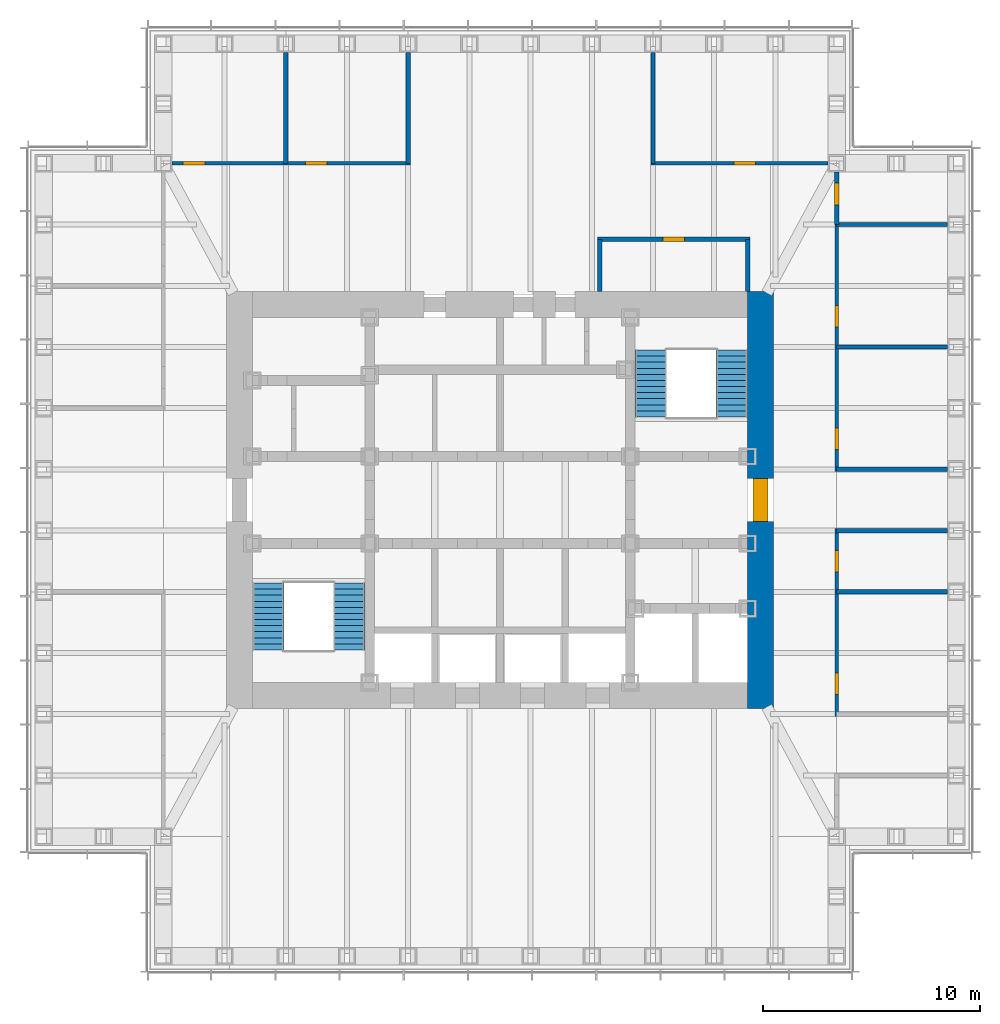
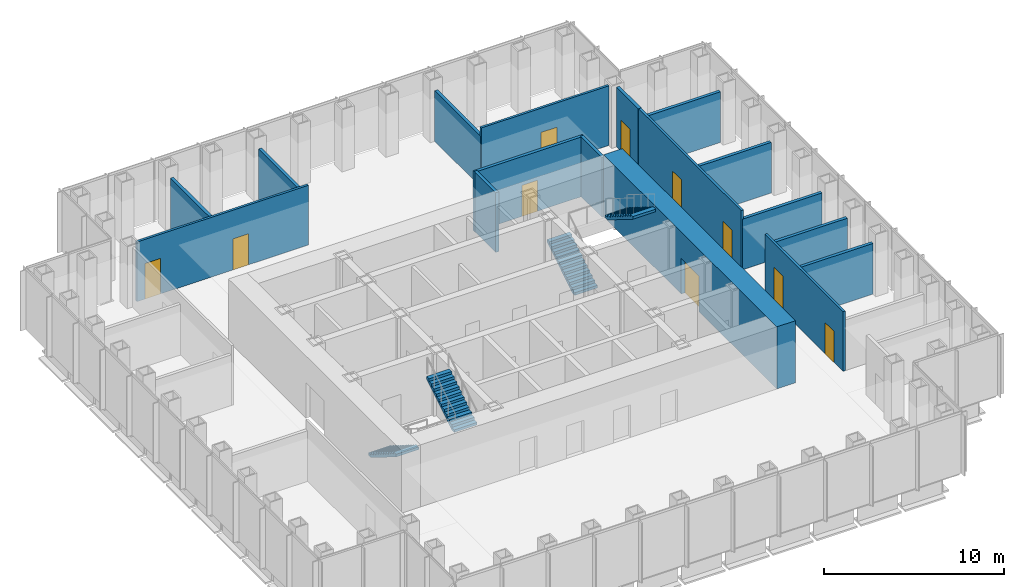
# One storey, part 10 of 16: 17 walls, 10 doors, 4 stair flights, 10 openings, 2 elements without a shape of their own.
"""IFC4 building model written with IfcOpenShell, lengths in metres."""

import ifcopenshell
import ifcopenshell.guid

model = None  # the IFC model being written
_history = None  # IfcOwnerHistory: only IFC2X3 demands one
_inside = {}  # id of a spatial element -> (the spatial element, [elements in it])
_under = {}  # id of a project, library or spatial element -> (it, [spatial elements below it])
_declared = {}  # id of a project -> (the project, [libraries it declares])
_typed = {}  # id of a type object -> (the type object, [elements of that type])
_made_of = {}  # id of a material, layer set ... -> (it, [elements and type objects made of it])


def new_model(schema):
    """Start an empty IFC model of exactly this schema.

    Asked for "IFC4X3", IfcOpenShell would pick the latest addendum, in which some entities
    have other attributes; the version numbers below select the first issue.
    IFC2X3 requires an IfcOwnerHistory on every rooted entity: one is made here for all.
    """
    global model, _history
    if schema == "IFC4X3":
        model = ifcopenshell.file(schema_version=(4, 3, 0, 0))
    else:
        model = ifcopenshell.file(schema=schema)
    _inside.clear()
    _under.clear()
    _declared.clear()
    _typed.clear()
    _made_of.clear()
    _history = None
    if model.schema == "IFC2X3":
        org = make("IfcOrganization", Name="unknown")
        user = make(
            "IfcPersonAndOrganization",
            ThePerson=make("IfcPerson", FamilyName="unknown"),
            TheOrganization=org,
        )
        app = make(
            "IfcApplication",
            ApplicationDeveloper=org,
            Version="unknown",
            ApplicationFullName="unknown",
            ApplicationIdentifier="unknown",
        )
        _history = make(
            "IfcOwnerHistory",
            OwningUser=user,
            OwningApplication=app,
            ChangeAction="ADDED",
            CreationDate=0,
        )
    return model


def make(cls, **values):
    """One entity of the class cls with the attributes given. An attribute that is None is left unset."""
    return model.create_entity(
        cls, **{name: value for name, value in values.items() if value is not None}
    )


def rooted(cls, **values):
    """An entity with a GlobalId (a new one), such as an element, a storey or a relation."""
    return make(cls, GlobalId=ifcopenshell.guid.new(), OwnerHistory=_history, **values)


def si_unit(unit_type, name, prefix=None):
    """IfcSIUnit, for example si_unit("LENGTHUNIT", "METRE", prefix="MILLI")."""
    return make("IfcSIUnit", UnitType=unit_type, Prefix=prefix, Name=name)


def assignment(units):
    """IfcUnitAssignment: the units of a project."""
    return None if units is None else make("IfcUnitAssignment", Units=units)


def point(xyz):
    """IfcCartesianPoint."""
    return None if xyz is None else make("IfcCartesianPoint", Coordinates=xyz)


def direction(xyz):
    """IfcDirection."""
    return None if xyz is None else make("IfcDirection", DirectionRatios=xyz)


def frame(location, z_axis=None, x_axis=None):
    """IfcAxis2Placement3D, a coordinate frame: its origin and axes. An axis left out is left unset."""
    return make(
        "IfcAxis2Placement3D",
        Location=point(location),
        Axis=direction(z_axis),
        RefDirection=direction(x_axis),
    )


def frame_2d(location, x_axis=None):
    """IfcAxis2Placement2D, a coordinate frame in the plane: its origin and x axis."""
    return make(
        "IfcAxis2Placement2D", Location=point(location), RefDirection=direction(x_axis)
    )


def origin():
    """The frame at (0, 0, 0) with its axes left unset."""
    return frame((0.0, 0.0, 0.0))


def place(relative_to, where):
    """IfcLocalPlacement: puts the frame where relative to a parent placement (None: the world)."""
    return make(
        "IfcLocalPlacement", PlacementRelTo=relative_to, RelativePlacement=where
    )


def context(
    kind, dimensions, precision=None, world=None, true_north=None, identifier=None
):
    """IfcGeometricRepresentationContext, for example the 3D "Model" context."""
    return make(
        "IfcGeometricRepresentationContext",
        ContextIdentifier=identifier,
        ContextType=kind,
        CoordinateSpaceDimension=dimensions,
        Precision=precision,
        WorldCoordinateSystem=world,
        TrueNorth=true_north,
    )


def subcontext(parent, identifier, kind, view, scale=None):
    """IfcGeometricRepresentationSubContext, for example "Body" below "Model"."""
    return make(
        "IfcGeometricRepresentationSubContext",
        ContextIdentifier=identifier,
        ContextType=kind,
        ParentContext=parent,
        TargetScale=scale,
        TargetView=view,
    )


def project(units=None, contexts=None):
    """IfcProject with its units and contexts."""
    return rooted(
        "IfcProject",
        Name="project",
        RepresentationContexts=contexts,
        UnitsInContext=assignment(units),
    )


def spatial(cls, under=None, at=None, **own):
    """A site, building, storey or space (cls), placed at a placement, below another one or the project."""
    s = rooted(cls, ObjectPlacement=at, **own)
    if under is not None:
        _under.setdefault(under.id(), (under, []))[1].append(s)
    return s


def polyline(points):
    """IfcPolyline through the points."""
    return make("IfcPolyline", Points=[point(p) for p in points])


def profile(cls, at=None, kind="AREA", **sizes):
    """A parametric profile (cls). Its sizes go by their IFC names, for example OverallWidth=200.0."""
    return make(cls, ProfileType=kind, Position=at, **sizes)


def rectangle(**sizes):
    """IfcRectangleProfileDef."""
    return profile("IfcRectangleProfileDef", **sizes)


def outline(outer, holes=None, kind="AREA"):
    """IfcArbitraryClosedProfileDef: a profile drawn as a closed curve; with holes, ...WithVoids."""
    if holes is None:
        return make("IfcArbitraryClosedProfileDef", ProfileType=kind, OuterCurve=outer)
    return make(
        "IfcArbitraryProfileDefWithVoids",
        ProfileType=kind,
        OuterCurve=outer,
        InnerCurves=holes,
    )


def extrude(swept, where, along, depth):
    """IfcExtrudedAreaSolid: the profile swept, set in the frame where, extruded along a direction by depth."""
    return make(
        "IfcExtrudedAreaSolid",
        SweptArea=swept,
        Position=where,
        ExtrudedDirection=direction(along),
        Depth=depth,
    )


def shape(context_of_items, identifier, shape_type, items):
    """IfcShapeRepresentation: the items that make up one representation, for example the "Body"."""
    return make(
        "IfcShapeRepresentation",
        ContextOfItems=context_of_items,
        RepresentationIdentifier=identifier,
        RepresentationType=shape_type,
        Items=items,
    )


def material(Name=None, Category=None):
    """IfcMaterial."""
    return make("IfcMaterial", Name=Name, Category=Category)


def layer(
    of_material, thickness, ventilated=None, Name=None, Category=None, Priority=None
):
    """IfcMaterialLayer: one layer of a wall or slab, of a material (None: an air gap)."""
    return make(
        "IfcMaterialLayer",
        Material=of_material,
        LayerThickness=thickness,
        IsVentilated=ventilated,
        Name=Name,
        Category=Category,
        Priority=Priority,
    )


def layer_set(layers, Name=None):
    """IfcMaterialLayerSet."""
    return make("IfcMaterialLayerSet", MaterialLayers=layers, LayerSetName=Name)


def made_of(thing, what):
    """Note that an element or type object is made of a material, layer set ...; save() writes the relation."""
    if what is not None:
        _made_of.setdefault(what.id(), (what, []))[1].append(thing)
    return thing


def type_object(cls, material=None, **own):
    """A type object (cls), such as IfcWallType, which elements share."""
    return made_of(rooted(cls, **own), material)


def element(
    cls,
    number,
    at=None,
    inside=None,
    cuts=None,
    type_object=None,
    material=None,
    context=None,
    identifier="Body",
    shape_type=None,
    held_by="IfcProductDefinitionShape",
    body=None,
    shapes=None,
    **own,
):
    """One element of the class cls, such as IfcWall. Its Tag is "e" and its number.

    at: its placement. inside: the storey or other place that contains it. cuts: it is an
    opening in that element (IfcRelVoidsElement). A single representation is given by context,
    identifier, shape_type and body (its items); several are given by shapes. held_by: the class
    of the entity that holds the representations. save() writes the other relations.
    """
    e = rooted(cls, Tag="e%d" % number, ObjectPlacement=at, **own)
    if body is not None:
        shapes = [shape(context, identifier, shape_type, body)]
    if shapes is not None:
        e.Representation = make(held_by, Representations=shapes)
    if inside is not None:
        _inside.setdefault(inside.id(), (inside, []))[1].append(e)
    if cuts is not None:
        rooted(
            "IfcRelVoidsElement", RelatingBuildingElement=cuts, RelatedOpeningElement=e
        )
    if type_object is not None:
        _typed.setdefault(type_object.id(), (type_object, []))[1].append(e)
    return made_of(e, material)


def fill(opening, filler):
    """IfcRelFillsElement: the door or window that sits in an opening."""
    return rooted(
        "IfcRelFillsElement",
        RelatingOpeningElement=opening,
        RelatedBuildingElement=filler,
    )


def aggregate(whole, parts):
    """IfcRelAggregates: a whole, such as a stair, and the parts it consists of."""
    return rooted("IfcRelAggregates", RelatingObject=whole, RelatedObjects=parts)


def save(model, path):
    """Write the relations noted so far, then the file.

    IfcRelAggregates (storeys below a building ...), IfcRelContainedInSpatialStructure (elements
    in a storey), IfcRelDefinesByType, IfcRelAssociatesMaterial and IfcRelDeclares: one each for
    every whole, place, type object, material and project.
    """
    for whole, parts in _under.values():
        aggregate(whole, parts)
    for where, things in _inside.values():
        rooted(
            "IfcRelContainedInSpatialStructure",
            RelatedElements=things,
            RelatingStructure=where,
        )
    for kind, things in _typed.values():
        rooted("IfcRelDefinesByType", RelatedObjects=things, RelatingType=kind)
    for what, things in _made_of.values():
        rooted("IfcRelAssociatesMaterial", RelatedObjects=things, RelatingMaterial=what)
    for by, libraries in _declared.values():
        rooted("IfcRelDeclares", RelatingContext=by, RelatedDefinitions=libraries)
    model.write(path)


model = new_model("IFC4")

# Units and contexts
model_context = context("Model", 3, precision=1e-05, world=origin(), true_north=direction((0.0, 1.0)))
body_context = subcontext(model_context, "Body", "Model", "MODEL_VIEW")
ifc_project = project(units=[si_unit("LENGTHUNIT", "METRE"), si_unit("AREAUNIT", "SQUARE_METRE"), si_unit("VOLUMEUNIT", "CUBIC_METRE"), si_unit("PLANEANGLEUNIT", "RADIAN"), si_unit("MASSUNIT", "GRAM", prefix="KILO")], contexts=[model_context])

# Site, building, storey
site_placement = place(None, origin())
site = spatial("IfcSite", under=ifc_project, at=site_placement, CompositionType="ELEMENT")
building_placement = place(site_placement, origin())
building = spatial("IfcBuilding", under=site, at=building_placement, Name="Daluyong Arena Tower", CompositionType="ELEMENT")
storey_placement = place(building_placement, frame((0.0, 0.0, 214.89990234375)))
storey = spatial("IfcBuildingStorey", under=building, at=storey_placement, Name="L48", CompositionType="ELEMENT", Elevation=214.89990234375)

# Wall, opening, door
ifc_material_1 = material(Name="Concrete fc' 60 MPa", Category="concrete")
ifc_layer_1 = layer(ifc_material_1, 1.199951171875)
ifc_layer_set_1 = layer_set([ifc_layer_1], Name="Concrete fc' 60 MPa")
wall_type_1 = type_object("IfcWallType", Name="Core wall 1200", PredefinedType="SHEAR", material=ifc_layer_set_1)
wall_1_placement = place(storey_placement, frame((68.0, 70.39990234375, 0.0), z_axis=(0.0, 0.0, 1.0), x_axis=(0.0, 1.0, 0.0)))
wall_1 = element("IfcWall", 1, at=wall_1_placement, inside=storey, type_object=wall_type_1, Name="core wall at L48", PredefinedType="SHEAR", context=body_context, shape_type="SweptSolid", body=[
    extrude(rectangle(XDim=19.2001953125, YDim=1.199951171875, at=frame_2d((9.60009765625, 0.0))), origin(), (0.0, 0.0, 1.0), 4.2001953125),
])
opening_1_placement = place(wall_1_placement, frame((8.60009765625, 0.0, 0.0)))
opening_1 = element("IfcOpeningElement", 2, at=opening_1_placement, cuts=wall_1, Name="Opening 48019", PredefinedType="OPENING", context=body_context, shape_type="SweptSolid", body=[
    extrude(rectangle(XDim=2.0, YDim=2.39990234375, at=frame_2d((1.0, 1.199951171875))), frame((0.0, 0.60986328125, 0.0), z_axis=(0.0, -1.0, 0.0), x_axis=(1.0, 0.0, 0.0)), (0.0, 0.0, 1.0), 1.219970703125),
])
ifc_material_2 = material(Name="Steel door, fire rated", Category="steel")
door_type_1 = type_object("IfcDoorType", Name="Core lobby double door 2000", OperationType="DOUBLE_DOOR_SINGLE_SWING", PredefinedType="DOOR", material=ifc_material_2)
door_1_placement = place(opening_1_placement, origin())
door_1 = element("IfcDoor", 3, at=door_1_placement, inside=storey, type_object=door_type_1, Name="core lobby door east 48019", OperationType="DOUBLE_DOOR_SINGLE_SWING", OverallHeight=2.39990234375, OverallWidth=2.0, PredefinedType="DOOR", context=body_context, shape_type="SweptSolid", body=[
    extrude(rectangle(XDim=2.0, YDim=2.39990234375, at=frame_2d((1.0, 1.199951171875))), frame((0.0, 0.35009765625, 0.0), z_axis=(0.0, -1.0, 0.0), x_axis=(1.0, 0.0, 0.0)), (0.0, 0.0, 1.0), 0.699951171875),
])
fill(opening_1, door_1)

# Wall, openings, doors
ifc_material_3 = material(Name="Glazed aluminium partition", Category="aluminium")
ifc_layer_2 = layer(ifc_material_3, 0.14990234375)
ifc_layer_set_2 = layer_set([ifc_layer_2], Name="Glazed aluminium partition")
wall_type_2 = type_object("IfcWallType", Name="Glazed partition 150", PredefinedType="PARTITIONING", material=ifc_layer_set_2)
wall_2_placement = place(storey_placement, frame((40.89990234375, 95.5, 0.0), z_axis=(0.0, 0.0, 1.0), x_axis=(1.0, 0.0, 0.0)))
wall_2 = element("IfcWall", 4, at=wall_2_placement, inside=storey, type_object=wall_type_2, Name="glazed partition at L48", PredefinedType="PARTITIONING", context=body_context, shape_type="SweptSolid", body=[
    extrude(rectangle(XDim=10.972900390625, YDim=0.14990234375, at=frame_2d((5.486328125, 0.0))), origin(), (0.0, 0.0, 1.0), 4.0400390625),
])
opening_2_placement = place(wall_2_placement, frame((0.509033203125, 0.0, 0.0)))
opening_2 = element("IfcOpeningElement", 5, at=opening_2_placement, cuts=wall_2, Name="Opening 48035", PredefinedType="OPENING", context=body_context, shape_type="SweptSolid", body=[
    extrude(rectangle(XDim=1.0, YDim=2.39990234375, at=frame_2d((0.5, 1.199951171875))), frame((0.0, 0.0849609375, 0.0), z_axis=(0.0, -1.0, 0.0), x_axis=(1.0, 0.0, 0.0)), (0.0, 0.0, 1.0), 0.169921875),
])
opening_3_placement = place(wall_2_placement, frame((6.1455078125, 0.0, 0.0)))
opening_3 = element("IfcOpeningElement", 6, at=opening_3_placement, cuts=wall_2, Name="Opening 48036", PredefinedType="OPENING", context=body_context, shape_type="SweptSolid", body=[
    extrude(rectangle(XDim=1.0, YDim=2.10009765625, at=frame_2d((0.5, 1.050048828125))), frame((0.0, 0.0849609375, 0.0), z_axis=(0.0, -1.0, 0.0), x_axis=(1.0, 0.0, 0.0)), (0.0, 0.0, 1.0), 0.169921875),
])
ifc_material_4 = material(Name="Glazed aluminium door", Category="aluminium")
door_type_2 = type_object("IfcDoorType", Name="Meeting room glazed door 1000", OperationType="SINGLE_SWING_RIGHT", PredefinedType="DOOR", material=ifc_material_4)
door_2_placement = place(opening_2_placement, origin())
door_2 = element("IfcDoor", 7, at=door_2_placement, inside=storey, type_object=door_type_2, Name="meeting room door 48035", OperationType="SINGLE_SWING_RIGHT", OverallHeight=2.39990234375, OverallWidth=1.0, PredefinedType="DOOR", context=body_context, shape_type="SweptSolid", body=[
    extrude(rectangle(XDim=1.0, YDim=2.39990234375, at=frame_2d((0.5, 1.199951171875))), frame((0.0, 0.07470703125, 0.0), z_axis=(0.0, -1.0, 0.0), x_axis=(1.0, 0.0, 0.0)), (0.0, 0.0, 1.0), 0.1494140625),
])
fill(opening_2, door_2)
ifc_material_5 = material(Name="Timber door", Category="wood")
door_type_3 = type_object("IfcDoorType", Name="Room door 1000", OperationType="SINGLE_SWING_LEFT", PredefinedType="DOOR", material=ifc_material_5)
door_3_placement = place(opening_3_placement, origin())
door_3 = element("IfcDoor", 8, at=door_3_placement, inside=storey, type_object=door_type_3, Name="executive office door 48036", OperationType="SINGLE_SWING_LEFT", OverallHeight=2.10009765625, OverallWidth=1.0, PredefinedType="DOOR", context=body_context, shape_type="SweptSolid", body=[
    extrude(rectangle(XDim=1.0, YDim=2.10009765625, at=frame_2d((0.5, 1.050048828125))), frame((0.0, 0.07470703125, 0.0), z_axis=(0.0, -1.0, 0.0), x_axis=(1.0, 0.0, 0.0)), (0.0, 0.0, 1.0), 0.1494140625),
])
fill(opening_3, door_3)

# Wall, opening, door
wall_3_placement = place(storey_placement, frame((62.945556640625, 95.5, 0.0), z_axis=(0.0, 0.0, 1.0), x_axis=(1.0, 0.0, 0.0)))
wall_3 = element("IfcWall", 9, at=wall_3_placement, inside=storey, type_object=wall_type_2, Name="glazed partition at L48", PredefinedType="PARTITIONING", context=body_context, shape_type="SweptSolid", body=[
    extrude(rectangle(XDim=8.154541015625, YDim=0.14990234375, at=frame_2d((4.0771484375, 0.0))), origin(), (0.0, 0.0, 1.0), 4.0400390625),
])
opening_4_placement = place(wall_3_placement, frame((3.827392578125, 0.0, 0.0)))
opening_4 = element("IfcOpeningElement", 10, at=opening_4_placement, cuts=wall_3, Name="Opening 48037", PredefinedType="OPENING", context=body_context, shape_type="SweptSolid", body=[
    extrude(rectangle(XDim=1.0, YDim=2.39990234375, at=frame_2d((0.5, 1.199951171875))), frame((0.0, 0.0849609375, 0.0), z_axis=(0.0, -1.0, 0.0), x_axis=(1.0, 0.0, 0.0)), (0.0, 0.0, 1.0), 0.169921875),
])
door_4_placement = place(opening_4_placement, origin())
door_4 = element("IfcDoor", 11, at=door_4_placement, inside=storey, type_object=door_type_2, Name="meeting room door 48037", OperationType="SINGLE_SWING_RIGHT", OverallHeight=2.39990234375, OverallWidth=1.0, PredefinedType="DOOR", context=body_context, shape_type="SweptSolid", body=[
    extrude(rectangle(XDim=1.0, YDim=2.39990234375, at=frame_2d((0.5, 1.199951171875))), frame((0.0, 0.07470703125, 0.0), z_axis=(0.0, -1.0, 0.0), x_axis=(1.0, 0.0, 0.0)), (0.0, 0.0, 1.0), 0.1494140625),
])
fill(opening_4, door_4)

# Wall, openings, doors
wall_4_placement = place(storey_placement, frame((71.5, 70.036376953125, 0.0), z_axis=(0.0, 0.0, 1.0), x_axis=(0.0, 1.0, 0.0)))
wall_4 = element("IfcWall", 12, at=wall_4_placement, inside=storey, type_object=wall_type_2, Name="glazed partition at L48", PredefinedType="PARTITIONING", context=body_context, shape_type="SweptSolid", body=[
    extrude(rectangle(XDim=8.654541015625, YDim=0.14990234375, at=frame_2d((4.3271484375, 0.0))), origin(), (0.0, 0.0, 1.0), 4.0400390625),
])
opening_5_placement = place(wall_4_placement, frame((1.009033203125, 0.0, 0.0)))
opening_5 = element("IfcOpeningElement", 13, at=opening_5_placement, cuts=wall_4, Name="Opening 48030", PredefinedType="OPENING", context=body_context, shape_type="SweptSolid", body=[
    extrude(rectangle(XDim=1.0, YDim=2.10009765625, at=frame_2d((0.5, 1.050048828125))), frame((0.0, 0.0849609375, 0.0), z_axis=(0.0, -1.0, 0.0), x_axis=(1.0, 0.0, 0.0)), (0.0, 0.0, 1.0), 0.169921875),
])
opening_6_placement = place(wall_4_placement, frame((6.6455078125, 0.0, 0.0)))
opening_6 = element("IfcOpeningElement", 14, at=opening_6_placement, cuts=wall_4, Name="Opening 48031", PredefinedType="OPENING", context=body_context, shape_type="SweptSolid", body=[
    extrude(rectangle(XDim=1.0, YDim=2.39990234375, at=frame_2d((0.5, 1.199951171875))), frame((0.0, 0.0849609375, 0.0), z_axis=(0.0, -1.0, 0.0), x_axis=(1.0, 0.0, 0.0)), (0.0, 0.0, 1.0), 0.169921875),
])
door_5_placement = place(opening_6_placement, origin())
door_5 = element("IfcDoor", 15, at=door_5_placement, inside=storey, type_object=door_type_2, Name="focus room door 48031", OperationType="SINGLE_SWING_RIGHT", OverallHeight=2.39990234375, OverallWidth=1.0, PredefinedType="DOOR", context=body_context, shape_type="SweptSolid", body=[
    extrude(rectangle(XDim=1.0, YDim=2.39990234375, at=frame_2d((0.5, 1.199951171875))), frame((0.0, 0.07470703125, 0.0), z_axis=(0.0, -1.0, 0.0), x_axis=(1.0, 0.0, 0.0)), (0.0, 0.0, 1.0), 0.1494140625),
])
fill(opening_6, door_5)
door_6_placement = place(opening_5_placement, origin())
door_6 = element("IfcDoor", 16, at=door_6_placement, inside=storey, type_object=door_type_3, Name="office door 48030", OperationType="SINGLE_SWING_LEFT", OverallHeight=2.10009765625, OverallWidth=1.0, PredefinedType="DOOR", context=body_context, shape_type="SweptSolid", body=[
    extrude(rectangle(XDim=1.0, YDim=2.10009765625, at=frame_2d((0.5, 1.050048828125))), frame((0.0, 0.07470703125, 0.0), z_axis=(0.0, -1.0, 0.0), x_axis=(1.0, 0.0, 0.0)), (0.0, 0.0, 1.0), 0.1494140625),
])
fill(opening_5, door_6)

wall_5_placement = place(storey_placement, frame((71.5, 81.30908203125, 0.0), z_axis=(0.0, 0.0, 1.0), x_axis=(0.0, 1.0, 0.0)))
wall_5 = element("IfcWall", 17, at=wall_5_placement, inside=storey, type_object=wall_type_2, Name="glazed partition at L48", PredefinedType="PARTITIONING", context=body_context, shape_type="SweptSolid", body=[
    extrude(rectangle(XDim=11.372802734375, YDim=0.14990234375, at=frame_2d((5.6865234375, 0.0))), origin(), (0.0, 0.0, 1.0), 4.0400390625),
])
opening_7_placement = place(wall_5_placement, frame((1.009033203125, 0.0, 0.0)))
opening_7 = element("IfcOpeningElement", 18, at=opening_7_placement, cuts=wall_5, Name="Opening 48032", PredefinedType="OPENING", context=body_context, shape_type="SweptSolid", body=[
    extrude(rectangle(XDim=1.0, YDim=2.10009765625, at=frame_2d((0.5, 1.050048828125))), frame((0.0, 0.0849609375, 0.0), z_axis=(0.0, -1.0, 0.0), x_axis=(1.0, 0.0, 0.0)), (0.0, 0.0, 1.0), 0.169921875),
])
opening_8_placement = place(wall_5_placement, frame((6.6455078125, 0.0, 0.0)))
opening_8 = element("IfcOpeningElement", 19, at=opening_8_placement, cuts=wall_5, Name="Opening 48033", PredefinedType="OPENING", context=body_context, shape_type="SweptSolid", body=[
    extrude(rectangle(XDim=1.0, YDim=2.10009765625, at=frame_2d((0.5, 1.050048828125))), frame((0.0, 0.0849609375, 0.0), z_axis=(0.0, -1.0, 0.0), x_axis=(1.0, 0.0, 0.0)), (0.0, 0.0, 1.0), 0.169921875),
])
door_7_placement = place(opening_7_placement, origin())
door_7 = element("IfcDoor", 20, at=door_7_placement, inside=storey, type_object=door_type_3, Name="office door 48032", OperationType="SINGLE_SWING_LEFT", OverallHeight=2.10009765625, OverallWidth=1.0, PredefinedType="DOOR", context=body_context, shape_type="SweptSolid", body=[
    extrude(rectangle(XDim=1.0, YDim=2.10009765625, at=frame_2d((0.5, 1.050048828125))), frame((0.0, 0.07470703125, 0.0), z_axis=(0.0, -1.0, 0.0), x_axis=(1.0, 0.0, 0.0)), (0.0, 0.0, 1.0), 0.1494140625),
])
fill(opening_7, door_7)
door_8_placement = place(opening_8_placement, origin())
door_8 = element("IfcDoor", 21, at=door_8_placement, inside=storey, type_object=door_type_3, Name="office door 48033", OperationType="SINGLE_SWING_LEFT", OverallHeight=2.10009765625, OverallWidth=1.0, PredefinedType="DOOR", context=body_context, shape_type="SweptSolid", body=[
    extrude(rectangle(XDim=1.0, YDim=2.10009765625, at=frame_2d((0.5, 1.050048828125))), frame((0.0, 0.07470703125, 0.0), z_axis=(0.0, -1.0, 0.0), x_axis=(1.0, 0.0, 0.0)), (0.0, 0.0, 1.0), 0.1494140625),
])
fill(opening_8, door_8)

# Walls
ifc_material_6 = material(Name="Concrete block partition", Category="concrete")
ifc_layer_3 = layer(ifc_material_6, 0.199951171875)
ifc_layer_set_3 = layer_set([ifc_layer_3], Name="Concrete block partition")
wall_type_3 = type_object("IfcWallType", Name="Partition 200", PredefinedType="PARTITIONING", material=ifc_layer_set_3)
for number, where, z_axis, x_axis, name in (
    (22, (71.5, 75.772705078125, 0.0), (0.0, 0.0, 1.0), (1.0, 0.0, 0.0), "partition at L48"),
    (23, (71.5, 78.5908203125, 0.0), (0.0, 0.0, 1.0), (1.0, 0.0, 0.0), "partition at L48"),
    (24, (71.5, 81.4091796875, 0.0), (0.0, 0.0, 1.0), (1.0, 0.0, 0.0), "partition at L48"),
    (25, (71.5, 87.04541015625, 0.0), (0.0, 0.0, 1.0), (1.0, 0.0, 0.0), "partition at L48"),
    (26, (71.5, 92.681884765625, 0.0), (0.0, 0.0, 1.0), (1.0, 0.0, 0.0), "partition at L48"),
    (27, (46.136474609375, 95.5, 0.0), (0.0, 0.0, 1.0), (0.0, 1.0, 0.0), "partition at L48"),
    (28, (51.772705078125, 95.5, 0.0), (0.0, 0.0, 1.0), (0.0, 1.0, 0.0), "partition at L48"),
    (29, (63.04541015625, 95.5, 0.0), (0.0, 0.0, 1.0), (0.0, 1.0, 0.0), "partition at L48"),
):
    element("IfcWall", number, at=place(storey_placement, frame(where, z_axis=z_axis, x_axis=x_axis)), inside=storey, type_object=wall_type_3, Name=name, PredefinedType="PARTITIONING", context=body_context, shape_type="SweptSolid", body=[
        extrude(rectangle(XDim=5.10009765625, YDim=0.199951171875, at=frame_2d((2.550048828125, 0.0))), origin(), (0.0, 0.0, 1.0), 3.427978515625),
    ])
for number, where, z_axis, x_axis, name in (
    (30, (60.60009765625, 89.60009765625, 0.0), (0.0, 0.0, 1.0), (0.0, 1.0, 0.0), "partition at L48"),
    (31, (67.39990234375, 89.60009765625, 0.0), (0.0, 0.0, 1.0), (0.0, 1.0, 0.0), "partition at L48"),
):
    element("IfcWall", number, at=place(storey_placement, frame(where, z_axis=z_axis, x_axis=x_axis)), inside=storey, type_object=wall_type_3, Name=name, PredefinedType="PARTITIONING", context=body_context, shape_type="SweptSolid", body=[
        extrude(rectangle(XDim=2.39990234375, YDim=0.199951171875, at=frame_2d((1.199951171875, 0.0))), origin(), (0.0, 0.0, 1.0), 4.0400390625),
    ])

# Wall, opening, door
wall_6_placement = place(storey_placement, frame((60.5, 92.0, 0.0), z_axis=(0.0, 0.0, 1.0), x_axis=(1.0, 0.0, 0.0)))
wall_6 = element("IfcWall", 32, at=wall_6_placement, inside=storey, type_object=wall_type_3, Name="partition at L48", PredefinedType="PARTITIONING", context=body_context, shape_type="SweptSolid", body=[
    extrude(rectangle(XDim=7.0, YDim=0.199951171875, at=frame_2d((3.5, 0.0))), origin(), (0.0, 0.0, 1.0), 4.0400390625),
])
opening_9_placement = place(wall_6_placement, frame((3.0, 0.0, 0.0)))
opening_9 = element("IfcOpeningElement", 33, at=opening_9_placement, cuts=wall_6, Name="Opening 48041", PredefinedType="OPENING", context=body_context, shape_type="SweptSolid", body=[
    extrude(rectangle(XDim=1.0, YDim=2.10009765625, at=frame_2d((0.5, 1.050048828125))), frame((0.0, 0.10986328125, 0.0), z_axis=(0.0, -1.0, 0.0), x_axis=(1.0, 0.0, 0.0)), (0.0, 0.0, 1.0), 0.219970703125),
])
door_9_placement = place(opening_9_placement, origin())
door_9 = element("IfcDoor", 34, at=door_9_placement, inside=storey, type_object=door_type_3, Name="project room door 48041", OperationType="SINGLE_SWING_LEFT", OverallHeight=2.10009765625, OverallWidth=1.0, PredefinedType="DOOR", context=body_context, shape_type="SweptSolid", body=[
    extrude(rectangle(XDim=1.0, YDim=2.10009765625, at=frame_2d((0.5, 1.050048828125))), frame((0.0, 0.099609375, 0.0), z_axis=(0.0, -1.0, 0.0), x_axis=(1.0, 0.0, 0.0)), (0.0, 0.0, 1.0), 0.199462890625),
])
fill(opening_9, door_9)

wall_7_placement = place(storey_placement, frame((71.5, 92.681884765625, 0.0), z_axis=(0.0, 0.0, 1.0), x_axis=(0.0, 1.0, 0.0)))
wall_7 = element("IfcWall", 35, at=wall_7_placement, inside=storey, type_object=wall_type_3, Name="partition at L48", PredefinedType="PARTITIONING", context=body_context, shape_type="SweptSolid", body=[
    extrude(rectangle(XDim=2.418212890625, YDim=0.199951171875, at=frame_2d((1.208984375, 0.0))), origin(), (0.0, 0.0, 1.0), 4.0400390625),
])
opening_10_placement = place(wall_7_placement, frame((0.9091796875, 0.0, 0.0)))
opening_10 = element("IfcOpeningElement", 36, at=opening_10_placement, cuts=wall_7, Name="Opening 48034", PredefinedType="OPENING", context=body_context, shape_type="SweptSolid", body=[
    extrude(rectangle(XDim=1.0, YDim=2.10009765625, at=frame_2d((0.5, 1.050048828125))), frame((0.0, 0.10986328125, 0.0), z_axis=(0.0, -1.0, 0.0), x_axis=(1.0, 0.0, 0.0)), (0.0, 0.0, 1.0), 0.219970703125),
])
door_10_placement = place(opening_10_placement, origin())
door_10 = element("IfcDoor", 37, at=door_10_placement, inside=storey, type_object=door_type_3, Name="wellness room door 48034", OperationType="SINGLE_SWING_LEFT", OverallHeight=2.10009765625, OverallWidth=1.0, PredefinedType="DOOR", context=body_context, shape_type="SweptSolid", body=[
    extrude(rectangle(XDim=1.0, YDim=2.10009765625, at=frame_2d((0.5, 1.050048828125))), frame((0.0, 0.099609375, 0.0), z_axis=(0.0, -1.0, 0.0), x_axis=(1.0, 0.0, 0.0)), (0.0, 0.0, 1.0), 0.199462890625),
])
fill(opening_10, door_10)

# Stair, stair flights
ifc_material_7 = material(Name="Concrete fc' 35 MPa", Category="concrete")
stair_type = type_object("IfcStairType", Name="Core exit stair", PredefinedType="HALF_TURN_STAIR", material=ifc_material_7)
stair_1_placement = place(storey_placement, origin())
stair_1 = element("IfcStair", 38, at=stair_1_placement, inside=storey, type_object=stair_type, Name="exit stair A L48", PredefinedType="HALF_TURN_STAIR")
ifc_material_8 = material(Name="Concrete fc' 35 MPa", Category="concrete")
stair_flight_type = type_object("IfcStairFlightType", Name="Core stair flight", PredefinedType="STRAIGHT", material=ifc_material_8)
stair_flight_1_placement = place(storey_placement, frame((45.324951171875, 76.175048828125, 0.0), z_axis=(0.0, 0.0, 1.0), x_axis=(0.0, -1.0, 0.0)))
stair_flight_1 = element("IfcStairFlight", 39, at=stair_flight_1_placement, type_object=stair_flight_type, Name="STA flight 1", NumberOfRisers=12, NumberOfTreads=11, PredefinedType="STRAIGHT", RiserHeight=0.175, TreadLength=0.28, context=body_context, shape_type="SweptSolid", body=[
    extrude(outline(polyline([(0.0, 0.0), (0.0, 0.175048828125), (0.280029296875, 0.175048828125), (0.280029296875, 0.35009765625), (0.56005859375, 0.35009765625), (0.56005859375, 0.52490234375), (0.840087890625, 0.52490234375), (0.840087890625, 0.699951171875), (1.1201171875, 0.699951171875), (1.1201171875, 0.875), (1.39990234375, 0.875), (1.39990234375, 1.050048828125), (1.679931640625, 1.050048828125), (1.679931640625, 1.22509765625), (1.9599609375, 1.22509765625), (1.9599609375, 1.39990234375), (2.239990234375, 1.39990234375), (2.239990234375, 1.574951171875), (2.52001953125, 1.574951171875), (2.52001953125, 1.75), (2.800048828125, 1.75), (2.800048828125, 1.925048828125), (3.080078125, 1.925048828125), (3.080078125, 2.10009765625), (3.080078125, 1.748291015625), (0.28271484375, 0.0), (0.0, 0.0)])), frame((0.0, 0.72509765625, 0.0), z_axis=(0.0, -1.0, 0.0), x_axis=(1.0, 0.0, 0.0)), (0.0, 0.0, 1.0), 1.449951171875),
])
stair_flight_2_placement = place(storey_placement, frame((49.050048828125, 73.094970703125, 2.10009765625), z_axis=(0.0, 0.0, 1.0), x_axis=(0.0, 1.0, 0.0)))
stair_flight_2 = element("IfcStairFlight", 40, at=stair_flight_2_placement, type_object=stair_flight_type, Name="STA flight 2", NumberOfRisers=12, NumberOfTreads=11, PredefinedType="STRAIGHT", RiserHeight=0.175, TreadLength=0.28, context=body_context, shape_type="SweptSolid", body=[
    extrude(outline(polyline([(0.0, 0.0), (0.0, 0.175048828125), (0.280029296875, 0.175048828125), (0.280029296875, 0.35009765625), (0.56005859375, 0.35009765625), (0.56005859375, 0.52490234375), (0.840087890625, 0.52490234375), (0.840087890625, 0.699951171875), (1.1201171875, 0.699951171875), (1.1201171875, 0.875), (1.39990234375, 0.875), (1.39990234375, 1.050048828125), (1.679931640625, 1.050048828125), (1.679931640625, 1.22509765625), (1.9599609375, 1.22509765625), (1.9599609375, 1.39990234375), (2.239990234375, 1.39990234375), (2.239990234375, 1.574951171875), (2.52001953125, 1.574951171875), (2.52001953125, 1.75), (2.800048828125, 1.75), (2.800048828125, 1.925048828125), (3.080078125, 1.925048828125), (3.080078125, 2.10009765625), (3.080078125, 1.748291015625), (0.28271484375, 0.0), (0.0, 0.0)])), frame((0.0, 0.72509765625, 0.0), z_axis=(0.0, -1.0, 0.0), x_axis=(1.0, 0.0, 0.0)), (0.0, 0.0, 1.0), 1.449951171875),
])
aggregate(stair_1, [stair_flight_1, stair_flight_2])

stair_2_placement = place(storey_placement, origin())
stair_2 = element("IfcStair", 41, at=stair_2_placement, inside=storey, type_object=stair_type, Name="exit stair B L48", PredefinedType="HALF_TURN_STAIR")
stair_flight_3_placement = place(storey_placement, frame((62.949951171875, 83.824951171875, 0.0), z_axis=(0.0, 0.0, 1.0), x_axis=(0.0, 1.0, 0.0)))
stair_flight_3 = element("IfcStairFlight", 42, at=stair_flight_3_placement, type_object=stair_flight_type, Name="STB flight 1", NumberOfRisers=12, NumberOfTreads=11, PredefinedType="STRAIGHT", RiserHeight=0.175, TreadLength=0.28, context=body_context, shape_type="SweptSolid", body=[
    extrude(outline(polyline([(0.0, 0.0), (0.0, 0.175048828125), (0.280029296875, 0.175048828125), (0.280029296875, 0.35009765625), (0.56005859375, 0.35009765625), (0.56005859375, 0.52490234375), (0.840087890625, 0.52490234375), (0.840087890625, 0.699951171875), (1.1201171875, 0.699951171875), (1.1201171875, 0.875), (1.39990234375, 0.875), (1.39990234375, 1.050048828125), (1.679931640625, 1.050048828125), (1.679931640625, 1.22509765625), (1.9599609375, 1.22509765625), (1.9599609375, 1.39990234375), (2.239990234375, 1.39990234375), (2.239990234375, 1.574951171875), (2.52001953125, 1.574951171875), (2.52001953125, 1.75), (2.800048828125, 1.75), (2.800048828125, 1.925048828125), (3.080078125, 1.925048828125), (3.080078125, 2.10009765625), (3.080078125, 1.748291015625), (0.28271484375, 0.0), (0.0, 0.0)])), frame((0.0, 0.72509765625, 0.0), z_axis=(0.0, -1.0, 0.0), x_axis=(1.0, 0.0, 0.0)), (0.0, 0.0, 1.0), 1.449951171875),
])
stair_flight_4_placement = place(storey_placement, frame((66.675048828125, 86.905029296875, 2.10009765625), z_axis=(0.0, 0.0, 1.0), x_axis=(0.0, -1.0, 0.0)))
stair_flight_4 = element("IfcStairFlight", 43, at=stair_flight_4_placement, type_object=stair_flight_type, Name="STB flight 2", NumberOfRisers=12, NumberOfTreads=11, PredefinedType="STRAIGHT", RiserHeight=0.175, TreadLength=0.28, context=body_context, shape_type="SweptSolid", body=[
    extrude(outline(polyline([(0.0, 0.0), (0.0, 0.175048828125), (0.280029296875, 0.175048828125), (0.280029296875, 0.35009765625), (0.56005859375, 0.35009765625), (0.56005859375, 0.52490234375), (0.840087890625, 0.52490234375), (0.840087890625, 0.699951171875), (1.1201171875, 0.699951171875), (1.1201171875, 0.875), (1.39990234375, 0.875), (1.39990234375, 1.050048828125), (1.679931640625, 1.050048828125), (1.679931640625, 1.22509765625), (1.9599609375, 1.22509765625), (1.9599609375, 1.39990234375), (2.239990234375, 1.39990234375), (2.239990234375, 1.574951171875), (2.52001953125, 1.574951171875), (2.52001953125, 1.75), (2.800048828125, 1.75), (2.800048828125, 1.925048828125), (3.080078125, 1.925048828125), (3.080078125, 2.10009765625), (3.080078125, 1.748291015625), (0.28271484375, 0.0), (0.0, 0.0)])), frame((0.0, 0.72509765625, 0.0), z_axis=(0.0, -1.0, 0.0), x_axis=(1.0, 0.0, 0.0)), (0.0, 0.0, 1.0), 1.449951171875),
])
aggregate(stair_2, [stair_flight_3, stair_flight_4])

save(model, "model.ifc")
